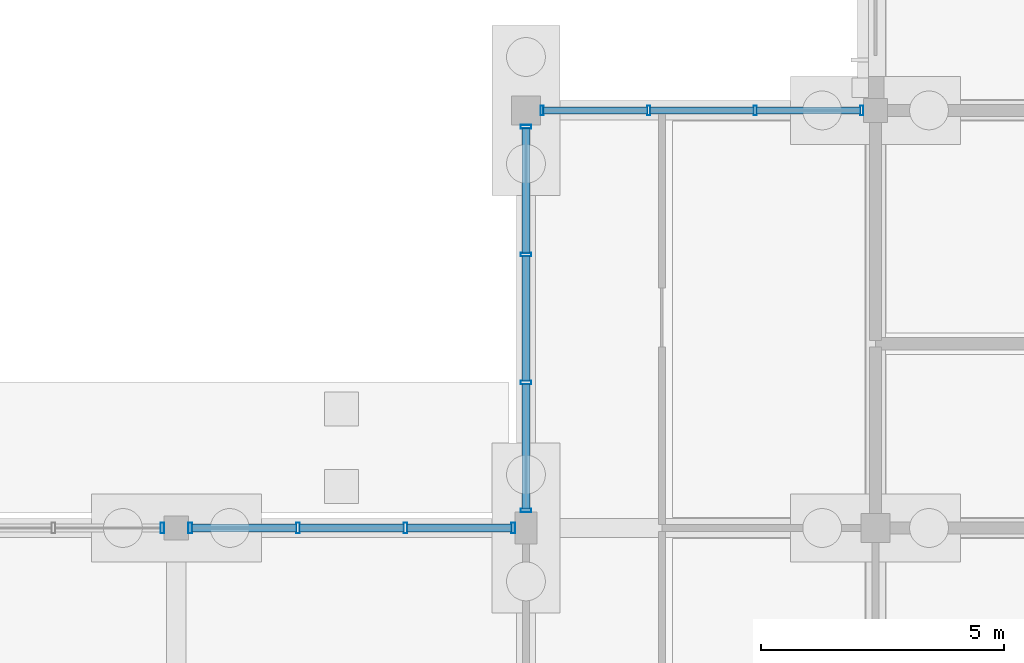
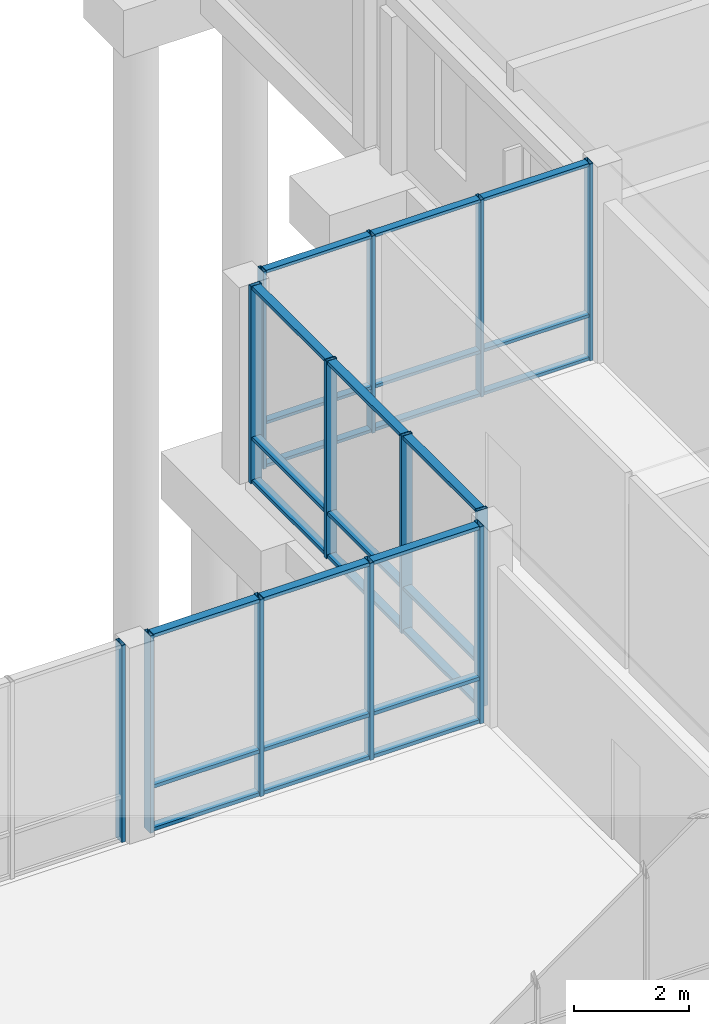
# One storey, part 61 of 104: 40 members, 4 elements without a shape of their own.
"""IFC4 building model written with IfcOpenShell, lengths in metres."""

from ifc_helpers import new_model, si_unit, direction, frame, origin, origin_2d, place, context, subcontext, project, spatial, hollow_rectangle, extrude, material, material_profile, profile_set, type_object, element, aggregate, save


model = new_model("IFC4")

# Units and contexts
model_context = context("Model", 3, precision=1e-05, world=origin(), true_north=direction((0.0, 1.0)))
body_context = subcontext(model_context, "Body", "Model", "MODEL_VIEW")
ifc_project = project(units=[si_unit("LENGTHUNIT", "METRE"), si_unit("AREAUNIT", "SQUARE_METRE"), si_unit("VOLUMEUNIT", "CUBIC_METRE"), si_unit("PLANEANGLEUNIT", "RADIAN"), si_unit("MASSUNIT", "GRAM", prefix="KILO")], contexts=[model_context])

# Site, building, storey
site_placement = place(None, origin())
site = spatial("IfcSite", under=ifc_project, at=site_placement, CompositionType="ELEMENT")
building_placement = place(site_placement, origin())
building = spatial("IfcBuilding", under=site, at=building_placement, Name="Hawrajan Terrace Health Centre", CompositionType="ELEMENT")
storey_placement = place(building_placement, origin())
storey = spatial("IfcBuildingStorey", under=building, at=storey_placement, Name="L00", CompositionType="ELEMENT", Elevation=0.0)

# Curtain wall, members
ifc_material_1 = material(Name="Anodized bronze aluminium and low-E solar glazing", Category="aluminium")
curtain_wall_type_1 = type_object("IfcCurtainWallType", Name="CW_Court_SeriesA1", PredefinedType="USERDEFINED", material=ifc_material_1)
curtain_wall_1_placement = place(storey_placement, origin())
curtain_wall_1 = element("IfcCurtainWall", 1, at=curtain_wall_1_placement, inside=storey, type_object=curtain_wall_type_1, Name="Curtain wall CW-L00-049", ObjectType="UNITISED CURTAIN WALL", PredefinedType="USERDEFINED")
ifc_material_2 = material(Name="Anodized bronze aluminium 6063-T6", Category="aluminium")
ifc_material_profile_1 = material_profile(ifc_material_2, hollow_rectangle(XDim=0.06494140625, YDim=0.199951171875, WallThickness=0.00439453125, at=origin_2d()), Name="CW MUL 65x200")
ifc_profile_set_1 = profile_set([ifc_material_profile_1], Name="Anodized bronze aluminium 6063-T6")
member_type_1 = type_object("IfcMemberType", Name="CWMullion_65x200", PredefinedType="MULLION", material=ifc_profile_set_1)
member_1_placement = place(storey_placement, frame((108.132568359375, 45.39990234375, -0.0048828125), z_axis=(0.0, 0.0, 1.0), x_axis=(1.0, 0.0, 0.0)))
member_1 = element("IfcMember", 2, at=member_1_placement, type_object=member_type_1, Name="Mullion CW-L00-049-M1", PredefinedType="MULLION", context=body_context, shape_type="SweptSolid", body=[
    extrude(hollow_rectangle(XDim=0.06494140625, YDim=0.199951171875, WallThickness=0.00439453125, at=origin_2d()), origin(), (0.0, 0.0, 1.0), 4.2099609375),
])
member_2_placement = place(storey_placement, frame((110.327392578125, 45.39990234375, -0.0048828125), z_axis=(0.0, 0.0, 1.0), x_axis=(1.0, 0.0, 0.0)))
member_2 = element("IfcMember", 3, at=member_2_placement, type_object=member_type_1, Name="Mullion CW-L00-049-M2", PredefinedType="MULLION", context=body_context, shape_type="SweptSolid", body=[
    extrude(hollow_rectangle(XDim=0.06494140625, YDim=0.199951171875, WallThickness=0.00439453125, at=origin_2d()), origin(), (0.0, 0.0, 1.0), 4.2099609375),
])
member_3_placement = place(storey_placement, frame((112.5224609375, 45.39990234375, -0.0048828125), z_axis=(0.0, 0.0, 1.0), x_axis=(1.0, 0.0, 0.0)))
member_3 = element("IfcMember", 4, at=member_3_placement, type_object=member_type_1, Name="Mullion CW-L00-049-M3", PredefinedType="MULLION", context=body_context, shape_type="SweptSolid", body=[
    extrude(hollow_rectangle(XDim=0.06494140625, YDim=0.199951171875, WallThickness=0.00439453125, at=origin_2d()), origin(), (0.0, 0.0, 1.0), 4.2099609375),
])
member_4_placement = place(storey_placement, frame((114.717529296875, 45.39990234375, -0.0048828125), z_axis=(0.0, 0.0, 1.0), x_axis=(1.0, 0.0, 0.0)))
member_4 = element("IfcMember", 5, at=member_4_placement, type_object=member_type_1, Name="Mullion CW-L00-049-M4", PredefinedType="MULLION", context=body_context, shape_type="SweptSolid", body=[
    extrude(hollow_rectangle(XDim=0.06494140625, YDim=0.199951171875, WallThickness=0.00439453125, at=origin_2d()), origin(), (0.0, 0.0, 1.0), 4.2099609375),
])

# Curtain wall, member
curtain_wall_type_2 = type_object("IfcCurtainWallType", Name="CW_Bridge_SeriesJ1", PredefinedType="USERDEFINED", material=ifc_material_1)
curtain_wall_2_placement = place(storey_placement, origin())
curtain_wall_2 = element("IfcCurtainWall", 6, at=curtain_wall_2_placement, inside=storey, type_object=curtain_wall_type_2, Name="Curtain wall CW-L00-044", ObjectType="UNITISED CURTAIN WALL", PredefinedType="USERDEFINED")
ifc_material_profile_2 = material_profile(ifc_material_2, hollow_rectangle(XDim=0.074951171875, YDim=0.219970703125, WallThickness=0.0048828125, at=origin_2d()), Name="CW MUL 75x220")
ifc_profile_set_2 = profile_set([ifc_material_profile_2], Name="Anodized bronze aluminium 6063-T6")
member_type_2 = type_object("IfcMemberType", Name="CWMullion_75x220", PredefinedType="MULLION", material=ifc_profile_set_2)
member_5_placement = place(storey_placement, frame((100.3125, 36.800048828125, -0.0048828125), z_axis=(0.0, 0.0, 1.0), x_axis=(1.0, 0.0, 0.0)))
member_5 = element("IfcMember", 7, at=member_5_placement, type_object=member_type_2, Name="Mullion CW-L00-044-M5", PredefinedType="MULLION", context=body_context, shape_type="SweptSolid", body=[
    extrude(hollow_rectangle(XDim=0.074951171875, YDim=0.219970703125, WallThickness=0.0048828125, at=origin_2d()), origin(), (0.0, 0.0, 1.0), 4.2099609375),
])
aggregate(curtain_wall_2, [member_5])

# Curtain wall, members
curtain_wall_type_3 = type_object("IfcCurtainWallType", Name="CW_Diagnostic_SeriesM1", PredefinedType="USERDEFINED", material=ifc_material_1)
curtain_wall_3_placement = place(storey_placement, origin())
curtain_wall_3 = element("IfcCurtainWall", 8, at=curtain_wall_3_placement, inside=storey, type_object=curtain_wall_type_3, Name="Curtain wall CW-L00-047", ObjectType="UNITISED CURTAIN WALL", PredefinedType="USERDEFINED")
member_6_placement = place(storey_placement, frame((100.887451171875, 36.800048828125, -0.0048828125), z_axis=(0.0, 0.0, 1.0), x_axis=(1.0, 0.0, 0.0)))
member_6 = element("IfcMember", 9, at=member_6_placement, type_object=member_type_2, Name="Mullion CW-L00-047-M1", PredefinedType="MULLION", context=body_context, shape_type="SweptSolid", body=[
    extrude(hollow_rectangle(XDim=0.074951171875, YDim=0.219970703125, WallThickness=0.0048828125, at=origin_2d()), origin(), (0.0, 0.0, 1.0), 4.2099609375),
])
member_7_placement = place(storey_placement, frame((103.104248046875, 36.800048828125, -0.0048828125), z_axis=(0.0, 0.0, 1.0), x_axis=(1.0, 0.0, 0.0)))
member_7 = element("IfcMember", 10, at=member_7_placement, type_object=member_type_2, Name="Mullion CW-L00-047-M2", PredefinedType="MULLION", context=body_context, shape_type="SweptSolid", body=[
    extrude(hollow_rectangle(XDim=0.074951171875, YDim=0.219970703125, WallThickness=0.0048828125, at=origin_2d()), origin(), (0.0, 0.0, 1.0), 4.2099609375),
])
member_8_placement = place(storey_placement, frame((105.32080078125, 36.800048828125, -0.0048828125), z_axis=(0.0, 0.0, 1.0), x_axis=(1.0, 0.0, 0.0)))
member_8 = element("IfcMember", 11, at=member_8_placement, type_object=member_type_2, Name="Mullion CW-L00-047-M3", PredefinedType="MULLION", context=body_context, shape_type="SweptSolid", body=[
    extrude(hollow_rectangle(XDim=0.074951171875, YDim=0.219970703125, WallThickness=0.0048828125, at=origin_2d()), origin(), (0.0, 0.0, 1.0), 4.2099609375),
])
member_9_placement = place(storey_placement, frame((107.53759765625, 36.800048828125, -0.0048828125), z_axis=(0.0, 0.0, 1.0), x_axis=(1.0, 0.0, 0.0)))
member_9 = element("IfcMember", 12, at=member_9_placement, type_object=member_type_2, Name="Mullion CW-L00-047-M4", PredefinedType="MULLION", context=body_context, shape_type="SweptSolid", body=[
    extrude(hollow_rectangle(XDim=0.074951171875, YDim=0.219970703125, WallThickness=0.0048828125, at=origin_2d()), origin(), (0.0, 0.0, 1.0), 4.2099609375),
])

curtain_wall_type_4 = type_object("IfcCurtainWallType", Name="CW_Court_SeriesA2", PredefinedType="USERDEFINED", material=ifc_material_1)
curtain_wall_4_placement = place(storey_placement, origin())
curtain_wall_4 = element("IfcCurtainWall", 13, at=curtain_wall_4_placement, inside=storey, type_object=curtain_wall_type_4, Name="Curtain wall CW-L00-050", ObjectType="UNITISED CURTAIN WALL", PredefinedType="USERDEFINED")
member_10_placement = place(storey_placement, frame((107.800048828125, 37.16259765625, -0.0048828125), z_axis=(0.0, 0.0, 1.0), x_axis=(0.0, 1.0, 0.0)))
member_10 = element("IfcMember", 14, at=member_10_placement, type_object=member_type_2, Name="Mullion CW-L00-050-M1", PredefinedType="MULLION", context=body_context, shape_type="SweptSolid", body=[
    extrude(hollow_rectangle(XDim=0.074951171875, YDim=0.219970703125, WallThickness=0.0048828125, at=origin_2d()), origin(), (0.0, 0.0, 1.0), 4.2099609375),
])
member_11_placement = place(storey_placement, frame((107.800048828125, 39.7958984375, -0.0048828125), z_axis=(0.0, 0.0, 1.0), x_axis=(0.0, 1.0, 0.0)))
member_11 = element("IfcMember", 15, at=member_11_placement, type_object=member_type_2, Name="Mullion CW-L00-050-M2", PredefinedType="MULLION", context=body_context, shape_type="SweptSolid", body=[
    extrude(hollow_rectangle(XDim=0.074951171875, YDim=0.219970703125, WallThickness=0.0048828125, at=origin_2d()), origin(), (0.0, 0.0, 1.0), 4.2099609375),
])
member_12_placement = place(storey_placement, frame((107.800048828125, 42.42919921875, -0.0048828125), z_axis=(0.0, 0.0, 1.0), x_axis=(0.0, 1.0, 0.0)))
member_12 = element("IfcMember", 16, at=member_12_placement, type_object=member_type_2, Name="Mullion CW-L00-050-M3", PredefinedType="MULLION", context=body_context, shape_type="SweptSolid", body=[
    extrude(hollow_rectangle(XDim=0.074951171875, YDim=0.219970703125, WallThickness=0.0048828125, at=origin_2d()), origin(), (0.0, 0.0, 1.0), 4.2099609375),
])
member_13_placement = place(storey_placement, frame((107.800048828125, 45.0625, -0.0048828125), z_axis=(0.0, 0.0, 1.0), x_axis=(0.0, 1.0, 0.0)))
member_13 = element("IfcMember", 17, at=member_13_placement, type_object=member_type_2, Name="Mullion CW-L00-050-M4", PredefinedType="MULLION", context=body_context, shape_type="SweptSolid", body=[
    extrude(hollow_rectangle(XDim=0.074951171875, YDim=0.219970703125, WallThickness=0.0048828125, at=origin_2d()), origin(), (0.0, 0.0, 1.0), 4.2099609375),
])

# Member
ifc_material_profile_3 = material_profile(ifc_material_2, hollow_rectangle(XDim=0.06494140625, YDim=0.14990234375, WallThickness=0.00390625, at=origin_2d()), Name="CW TRN 65x150")
ifc_profile_set_3 = profile_set([ifc_material_profile_3], Name="Anodized bronze aluminium 6063-T6")
member_type_3 = type_object("IfcMemberType", Name="CWTransom_65x150", PredefinedType="USERDEFINED", material=ifc_profile_set_3)
member_14_placement = place(storey_placement, frame((108.158935546875, 45.39990234375, 0.032470703125), z_axis=(1.0, 0.0, 0.0), x_axis=(0.0, 0.0, 1.0)))
member_14 = element("IfcMember", 18, at=member_14_placement, type_object=member_type_3, Name="Transom CW-L00-049-T1-1", ObjectType="TRANSOM", PredefinedType="USERDEFINED", context=body_context, shape_type="SweptSolid", body=[
    extrude(hollow_rectangle(XDim=0.06494140625, YDim=0.14990234375, WallThickness=0.00390625, at=origin_2d()), origin(), (0.0, 0.0, 1.0), 2.14208984375),
])

member_15_placement = place(storey_placement, frame((108.158935546875, 45.39990234375, 0.949951171875), z_axis=(1.0, 0.0, 0.0), x_axis=(0.0, 0.0, 1.0)))
member_15 = element("IfcMember", 19, at=member_15_placement, type_object=member_type_3, Name="Transom CW-L00-049-T1-2", ObjectType="TRANSOM", PredefinedType="USERDEFINED", context=body_context, shape_type="SweptSolid", body=[
    extrude(hollow_rectangle(XDim=0.06494140625, YDim=0.14990234375, WallThickness=0.00390625, at=origin_2d()), origin(), (0.0, 0.0, 1.0), 2.14208984375),
])

member_16_placement = place(storey_placement, frame((108.158935546875, 45.39990234375, 4.16748046875), z_axis=(1.0, 0.0, 0.0), x_axis=(0.0, 0.0, 1.0)))
member_16 = element("IfcMember", 20, at=member_16_placement, type_object=member_type_3, Name="Transom CW-L00-049-T1-3", ObjectType="TRANSOM", PredefinedType="USERDEFINED", context=body_context, shape_type="SweptSolid", body=[
    extrude(hollow_rectangle(XDim=0.06494140625, YDim=0.14990234375, WallThickness=0.00390625, at=origin_2d()), origin(), (0.0, 0.0, 1.0), 2.14208984375),
])

member_17_placement = place(storey_placement, frame((110.35400390625, 45.39990234375, 0.032470703125), z_axis=(1.0, 0.0, 0.0), x_axis=(0.0, 0.0, 1.0)))
member_17 = element("IfcMember", 21, at=member_17_placement, type_object=member_type_3, Name="Transom CW-L00-049-T2-1", ObjectType="TRANSOM", PredefinedType="USERDEFINED", context=body_context, shape_type="SweptSolid", body=[
    extrude(hollow_rectangle(XDim=0.06494140625, YDim=0.14990234375, WallThickness=0.00390625, at=origin_2d()), origin(), (0.0, 0.0, 1.0), 2.14208984375),
])

member_18_placement = place(storey_placement, frame((110.35400390625, 45.39990234375, 0.949951171875), z_axis=(1.0, 0.0, 0.0), x_axis=(0.0, 0.0, 1.0)))
member_18 = element("IfcMember", 22, at=member_18_placement, type_object=member_type_3, Name="Transom CW-L00-049-T2-2", ObjectType="TRANSOM", PredefinedType="USERDEFINED", context=body_context, shape_type="SweptSolid", body=[
    extrude(hollow_rectangle(XDim=0.06494140625, YDim=0.14990234375, WallThickness=0.00390625, at=origin_2d()), origin(), (0.0, 0.0, 1.0), 2.14208984375),
])

member_19_placement = place(storey_placement, frame((110.35400390625, 45.39990234375, 4.16748046875), z_axis=(1.0, 0.0, 0.0), x_axis=(0.0, 0.0, 1.0)))
member_19 = element("IfcMember", 23, at=member_19_placement, type_object=member_type_3, Name="Transom CW-L00-049-T2-3", ObjectType="TRANSOM", PredefinedType="USERDEFINED", context=body_context, shape_type="SweptSolid", body=[
    extrude(hollow_rectangle(XDim=0.06494140625, YDim=0.14990234375, WallThickness=0.00390625, at=origin_2d()), origin(), (0.0, 0.0, 1.0), 2.14208984375),
])

member_20_placement = place(storey_placement, frame((112.549072265625, 45.39990234375, 0.032470703125), z_axis=(1.0, 0.0, 0.0), x_axis=(0.0, 0.0, 1.0)))
member_20 = element("IfcMember", 24, at=member_20_placement, type_object=member_type_3, Name="Transom CW-L00-049-T3-1", ObjectType="TRANSOM", PredefinedType="USERDEFINED", context=body_context, shape_type="SweptSolid", body=[
    extrude(hollow_rectangle(XDim=0.06494140625, YDim=0.14990234375, WallThickness=0.00390625, at=origin_2d()), origin(), (0.0, 0.0, 1.0), 2.141845703125),
])

member_21_placement = place(storey_placement, frame((112.549072265625, 45.39990234375, 0.949951171875), z_axis=(1.0, 0.0, 0.0), x_axis=(0.0, 0.0, 1.0)))
member_21 = element("IfcMember", 25, at=member_21_placement, type_object=member_type_3, Name="Transom CW-L00-049-T3-2", ObjectType="TRANSOM", PredefinedType="USERDEFINED", context=body_context, shape_type="SweptSolid", body=[
    extrude(hollow_rectangle(XDim=0.06494140625, YDim=0.14990234375, WallThickness=0.00390625, at=origin_2d()), origin(), (0.0, 0.0, 1.0), 2.141845703125),
])

member_22_placement = place(storey_placement, frame((112.549072265625, 45.39990234375, 4.16748046875), z_axis=(1.0, 0.0, 0.0), x_axis=(0.0, 0.0, 1.0)))
member_22 = element("IfcMember", 26, at=member_22_placement, type_object=member_type_3, Name="Transom CW-L00-049-T3-3", ObjectType="TRANSOM", PredefinedType="USERDEFINED", context=body_context, shape_type="SweptSolid", body=[
    extrude(hollow_rectangle(XDim=0.06494140625, YDim=0.14990234375, WallThickness=0.00390625, at=origin_2d()), origin(), (0.0, 0.0, 1.0), 2.141845703125),
])

aggregate(curtain_wall_1, [member_1, member_2, member_3, member_4, member_14, member_15, member_16, member_17, member_18, member_19, member_20, member_21, member_22])

ifc_material_profile_4 = material_profile(ifc_material_2, hollow_rectangle(XDim=0.074951171875, YDim=0.169921875, WallThickness=0.00439453125, at=origin_2d()), Name="CW TRN 75x170")
ifc_profile_set_4 = profile_set([ifc_material_profile_4], Name="Anodized bronze aluminium 6063-T6")
member_type_4 = type_object("IfcMemberType", Name="CWTransom_75x170", PredefinedType="USERDEFINED", material=ifc_profile_set_4)
member_23_placement = place(storey_placement, frame((100.9189453125, 36.800048828125, 0.03759765625), z_axis=(1.0, 0.0, 0.0), x_axis=(0.0, 0.0, 1.0)))
member_23 = element("IfcMember", 27, at=member_23_placement, type_object=member_type_4, Name="Transom CW-L00-047-T1-1", ObjectType="TRANSOM", PredefinedType="USERDEFINED", context=body_context, shape_type="SweptSolid", body=[
    extrude(hollow_rectangle(XDim=0.074951171875, YDim=0.169921875, WallThickness=0.00439453125, at=origin_2d()), origin(), (0.0, 0.0, 1.0), 2.15380859375),
])

member_24_placement = place(storey_placement, frame((100.9189453125, 36.800048828125, 0.949951171875), z_axis=(1.0, 0.0, 0.0), x_axis=(0.0, 0.0, 1.0)))
member_24 = element("IfcMember", 28, at=member_24_placement, type_object=member_type_4, Name="Transom CW-L00-047-T1-2", ObjectType="TRANSOM", PredefinedType="USERDEFINED", context=body_context, shape_type="SweptSolid", body=[
    extrude(hollow_rectangle(XDim=0.074951171875, YDim=0.169921875, WallThickness=0.00439453125, at=origin_2d()), origin(), (0.0, 0.0, 1.0), 2.15380859375),
])

member_25_placement = place(storey_placement, frame((100.9189453125, 36.800048828125, 4.16259765625), z_axis=(1.0, 0.0, 0.0), x_axis=(0.0, 0.0, 1.0)))
member_25 = element("IfcMember", 29, at=member_25_placement, type_object=member_type_4, Name="Transom CW-L00-047-T1-3", ObjectType="TRANSOM", PredefinedType="USERDEFINED", context=body_context, shape_type="SweptSolid", body=[
    extrude(hollow_rectangle(XDim=0.074951171875, YDim=0.169921875, WallThickness=0.00439453125, at=origin_2d()), origin(), (0.0, 0.0, 1.0), 2.15380859375),
])

member_26_placement = place(storey_placement, frame((103.1357421875, 36.800048828125, 0.03759765625), z_axis=(1.0, 0.0, 0.0), x_axis=(0.0, 0.0, 1.0)))
member_26 = element("IfcMember", 30, at=member_26_placement, type_object=member_type_4, Name="Transom CW-L00-047-T2-1", ObjectType="TRANSOM", PredefinedType="USERDEFINED", context=body_context, shape_type="SweptSolid", body=[
    extrude(hollow_rectangle(XDim=0.074951171875, YDim=0.169921875, WallThickness=0.00439453125, at=origin_2d()), origin(), (0.0, 0.0, 1.0), 2.153564453125),
])

member_27_placement = place(storey_placement, frame((103.1357421875, 36.800048828125, 0.949951171875), z_axis=(1.0, 0.0, 0.0), x_axis=(0.0, 0.0, 1.0)))
member_27 = element("IfcMember", 31, at=member_27_placement, type_object=member_type_4, Name="Transom CW-L00-047-T2-2", ObjectType="TRANSOM", PredefinedType="USERDEFINED", context=body_context, shape_type="SweptSolid", body=[
    extrude(hollow_rectangle(XDim=0.074951171875, YDim=0.169921875, WallThickness=0.00439453125, at=origin_2d()), origin(), (0.0, 0.0, 1.0), 2.153564453125),
])

member_28_placement = place(storey_placement, frame((103.1357421875, 36.800048828125, 4.16259765625), z_axis=(1.0, 0.0, 0.0), x_axis=(0.0, 0.0, 1.0)))
member_28 = element("IfcMember", 32, at=member_28_placement, type_object=member_type_4, Name="Transom CW-L00-047-T2-3", ObjectType="TRANSOM", PredefinedType="USERDEFINED", context=body_context, shape_type="SweptSolid", body=[
    extrude(hollow_rectangle(XDim=0.074951171875, YDim=0.169921875, WallThickness=0.00439453125, at=origin_2d()), origin(), (0.0, 0.0, 1.0), 2.153564453125),
])

member_29_placement = place(storey_placement, frame((105.352294921875, 36.800048828125, 0.03759765625), z_axis=(1.0, 0.0, 0.0), x_axis=(0.0, 0.0, 1.0)))
member_29 = element("IfcMember", 33, at=member_29_placement, type_object=member_type_4, Name="Transom CW-L00-047-T3-1", ObjectType="TRANSOM", PredefinedType="USERDEFINED", context=body_context, shape_type="SweptSolid", body=[
    extrude(hollow_rectangle(XDim=0.074951171875, YDim=0.169921875, WallThickness=0.00439453125, at=origin_2d()), origin(), (0.0, 0.0, 1.0), 2.15380859375),
])

member_30_placement = place(storey_placement, frame((105.352294921875, 36.800048828125, 0.949951171875), z_axis=(1.0, 0.0, 0.0), x_axis=(0.0, 0.0, 1.0)))
member_30 = element("IfcMember", 34, at=member_30_placement, type_object=member_type_4, Name="Transom CW-L00-047-T3-2", ObjectType="TRANSOM", PredefinedType="USERDEFINED", context=body_context, shape_type="SweptSolid", body=[
    extrude(hollow_rectangle(XDim=0.074951171875, YDim=0.169921875, WallThickness=0.00439453125, at=origin_2d()), origin(), (0.0, 0.0, 1.0), 2.15380859375),
])

member_31_placement = place(storey_placement, frame((105.352294921875, 36.800048828125, 4.16259765625), z_axis=(1.0, 0.0, 0.0), x_axis=(0.0, 0.0, 1.0)))
member_31 = element("IfcMember", 35, at=member_31_placement, type_object=member_type_4, Name="Transom CW-L00-047-T3-3", ObjectType="TRANSOM", PredefinedType="USERDEFINED", context=body_context, shape_type="SweptSolid", body=[
    extrude(hollow_rectangle(XDim=0.074951171875, YDim=0.169921875, WallThickness=0.00439453125, at=origin_2d()), origin(), (0.0, 0.0, 1.0), 2.15380859375),
])

aggregate(curtain_wall_3, [member_6, member_7, member_8, member_9, member_23, member_24, member_25, member_26, member_27, member_28, member_29, member_30, member_31])

member_32_placement = place(storey_placement, frame((107.800048828125, 37.194091796875, 0.03759765625), z_axis=(0.0, 1.0, 0.0), x_axis=(0.0, 0.0, 1.0)))
member_32 = element("IfcMember", 36, at=member_32_placement, type_object=member_type_4, Name="Transom CW-L00-050-T1-1", ObjectType="TRANSOM", PredefinedType="USERDEFINED", context=body_context, shape_type="SweptSolid", body=[
    extrude(hollow_rectangle(XDim=0.074951171875, YDim=0.169921875, WallThickness=0.00439453125, at=origin_2d()), origin(), (0.0, 0.0, 1.0), 2.5703125),
])

member_33_placement = place(storey_placement, frame((107.800048828125, 37.194091796875, 0.949951171875), z_axis=(0.0, 1.0, 0.0), x_axis=(0.0, 0.0, 1.0)))
member_33 = element("IfcMember", 37, at=member_33_placement, type_object=member_type_4, Name="Transom CW-L00-050-T1-2", ObjectType="TRANSOM", PredefinedType="USERDEFINED", context=body_context, shape_type="SweptSolid", body=[
    extrude(hollow_rectangle(XDim=0.074951171875, YDim=0.169921875, WallThickness=0.00439453125, at=origin_2d()), origin(), (0.0, 0.0, 1.0), 2.5703125),
])

member_34_placement = place(storey_placement, frame((107.800048828125, 37.194091796875, 4.16259765625), z_axis=(0.0, 1.0, 0.0), x_axis=(0.0, 0.0, 1.0)))
member_34 = element("IfcMember", 38, at=member_34_placement, type_object=member_type_4, Name="Transom CW-L00-050-T1-3", ObjectType="TRANSOM", PredefinedType="USERDEFINED", context=body_context, shape_type="SweptSolid", body=[
    extrude(hollow_rectangle(XDim=0.074951171875, YDim=0.169921875, WallThickness=0.00439453125, at=origin_2d()), origin(), (0.0, 0.0, 1.0), 2.5703125),
])

member_35_placement = place(storey_placement, frame((107.800048828125, 39.827392578125, 0.03759765625), z_axis=(0.0, 1.0, 0.0), x_axis=(0.0, 0.0, 1.0)))
member_35 = element("IfcMember", 39, at=member_35_placement, type_object=member_type_4, Name="Transom CW-L00-050-T2-1", ObjectType="TRANSOM", PredefinedType="USERDEFINED", context=body_context, shape_type="SweptSolid", body=[
    extrude(hollow_rectangle(XDim=0.074951171875, YDim=0.169921875, WallThickness=0.00439453125, at=origin_2d()), origin(), (0.0, 0.0, 1.0), 2.5703125),
])

member_36_placement = place(storey_placement, frame((107.800048828125, 39.827392578125, 0.949951171875), z_axis=(0.0, 1.0, 0.0), x_axis=(0.0, 0.0, 1.0)))
member_36 = element("IfcMember", 40, at=member_36_placement, type_object=member_type_4, Name="Transom CW-L00-050-T2-2", ObjectType="TRANSOM", PredefinedType="USERDEFINED", context=body_context, shape_type="SweptSolid", body=[
    extrude(hollow_rectangle(XDim=0.074951171875, YDim=0.169921875, WallThickness=0.00439453125, at=origin_2d()), origin(), (0.0, 0.0, 1.0), 2.5703125),
])

member_37_placement = place(storey_placement, frame((107.800048828125, 39.827392578125, 4.16259765625), z_axis=(0.0, 1.0, 0.0), x_axis=(0.0, 0.0, 1.0)))
member_37 = element("IfcMember", 41, at=member_37_placement, type_object=member_type_4, Name="Transom CW-L00-050-T2-3", ObjectType="TRANSOM", PredefinedType="USERDEFINED", context=body_context, shape_type="SweptSolid", body=[
    extrude(hollow_rectangle(XDim=0.074951171875, YDim=0.169921875, WallThickness=0.00439453125, at=origin_2d()), origin(), (0.0, 0.0, 1.0), 2.5703125),
])

member_38_placement = place(storey_placement, frame((107.800048828125, 42.460693359375, 0.03759765625), z_axis=(0.0, 1.0, 0.0), x_axis=(0.0, 0.0, 1.0)))
member_38 = element("IfcMember", 42, at=member_38_placement, type_object=member_type_4, Name="Transom CW-L00-050-T3-1", ObjectType="TRANSOM", PredefinedType="USERDEFINED", context=body_context, shape_type="SweptSolid", body=[
    extrude(hollow_rectangle(XDim=0.074951171875, YDim=0.169921875, WallThickness=0.00439453125, at=origin_2d()), origin(), (0.0, 0.0, 1.0), 2.5703125),
])

member_39_placement = place(storey_placement, frame((107.800048828125, 42.460693359375, 0.949951171875), z_axis=(0.0, 1.0, 0.0), x_axis=(0.0, 0.0, 1.0)))
member_39 = element("IfcMember", 43, at=member_39_placement, type_object=member_type_4, Name="Transom CW-L00-050-T3-2", ObjectType="TRANSOM", PredefinedType="USERDEFINED", context=body_context, shape_type="SweptSolid", body=[
    extrude(hollow_rectangle(XDim=0.074951171875, YDim=0.169921875, WallThickness=0.00439453125, at=origin_2d()), origin(), (0.0, 0.0, 1.0), 2.5703125),
])

member_40_placement = place(storey_placement, frame((107.800048828125, 42.460693359375, 4.16259765625), z_axis=(0.0, 1.0, 0.0), x_axis=(0.0, 0.0, 1.0)))
member_40 = element("IfcMember", 44, at=member_40_placement, type_object=member_type_4, Name="Transom CW-L00-050-T3-3", ObjectType="TRANSOM", PredefinedType="USERDEFINED", context=body_context, shape_type="SweptSolid", body=[
    extrude(hollow_rectangle(XDim=0.074951171875, YDim=0.169921875, WallThickness=0.00439453125, at=origin_2d()), origin(), (0.0, 0.0, 1.0), 2.5703125),
])

aggregate(curtain_wall_4, [member_10, member_11, member_12, member_13, member_32, member_33, member_34, member_35, member_36, member_37, member_38, member_39, member_40])

save(model, "model.ifc")
